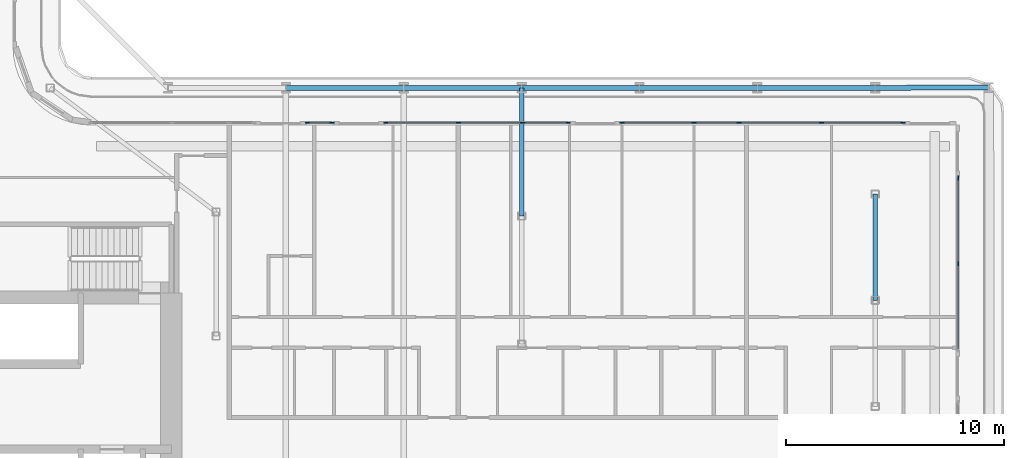
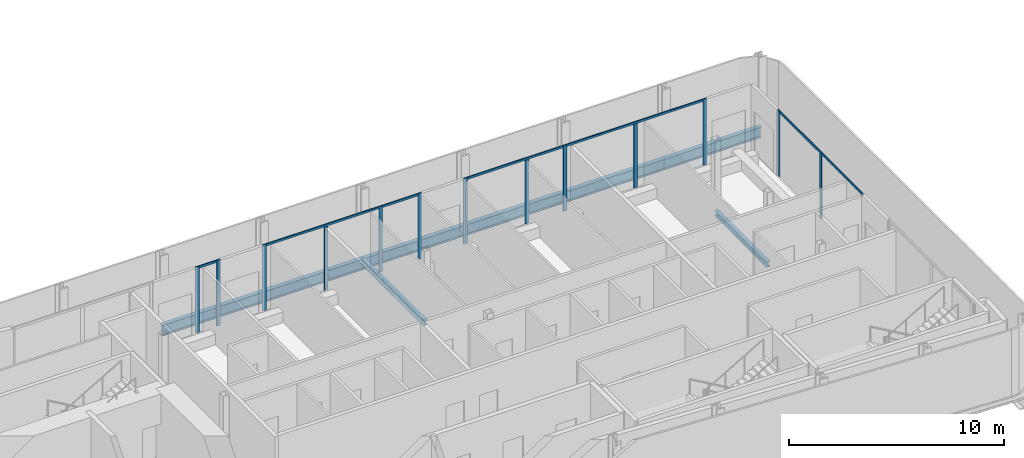
# One storey, part 6 of 24: 19 members, 8 beams, 6 elements without a shape of their own.
"""IFC4 building model written with IfcOpenShell, lengths in metres."""

import ifcopenshell
import ifcopenshell.guid

model = None  # the IFC model being written
_history = None  # IfcOwnerHistory: only IFC2X3 demands one
_inside = {}  # id of a spatial element -> (the spatial element, [elements in it])
_under = {}  # id of a project, library or spatial element -> (it, [spatial elements below it])
_declared = {}  # id of a project -> (the project, [libraries it declares])
_typed = {}  # id of a type object -> (the type object, [elements of that type])
_made_of = {}  # id of a material, layer set ... -> (it, [elements and type objects made of it])


def new_model(schema):
    """Start an empty IFC model of exactly this schema.

    Asked for "IFC4X3", IfcOpenShell would pick the latest addendum, in which some entities
    have other attributes; the version numbers below select the first issue.
    IFC2X3 requires an IfcOwnerHistory on every rooted entity: one is made here for all.
    """
    global model, _history
    if schema == "IFC4X3":
        model = ifcopenshell.file(schema_version=(4, 3, 0, 0))
    else:
        model = ifcopenshell.file(schema=schema)
    _inside.clear()
    _under.clear()
    _declared.clear()
    _typed.clear()
    _made_of.clear()
    _history = None
    if model.schema == "IFC2X3":
        org = make("IfcOrganization", Name="unknown")
        user = make(
            "IfcPersonAndOrganization",
            ThePerson=make("IfcPerson", FamilyName="unknown"),
            TheOrganization=org,
        )
        app = make(
            "IfcApplication",
            ApplicationDeveloper=org,
            Version="unknown",
            ApplicationFullName="unknown",
            ApplicationIdentifier="unknown",
        )
        _history = make(
            "IfcOwnerHistory",
            OwningUser=user,
            OwningApplication=app,
            ChangeAction="ADDED",
            CreationDate=0,
        )
    return model


def make(cls, **values):
    """One entity of the class cls with the attributes given. An attribute that is None is left unset."""
    return model.create_entity(
        cls, **{name: value for name, value in values.items() if value is not None}
    )


def rooted(cls, **values):
    """An entity with a GlobalId (a new one), such as an element, a storey or a relation."""
    return make(cls, GlobalId=ifcopenshell.guid.new(), OwnerHistory=_history, **values)


def si_unit(unit_type, name, prefix=None):
    """IfcSIUnit, for example si_unit("LENGTHUNIT", "METRE", prefix="MILLI")."""
    return make("IfcSIUnit", UnitType=unit_type, Prefix=prefix, Name=name)


def assignment(units):
    """IfcUnitAssignment: the units of a project."""
    return None if units is None else make("IfcUnitAssignment", Units=units)


def point(xyz):
    """IfcCartesianPoint."""
    return None if xyz is None else make("IfcCartesianPoint", Coordinates=xyz)


def direction(xyz):
    """IfcDirection."""
    return None if xyz is None else make("IfcDirection", DirectionRatios=xyz)


def frame(location, z_axis=None, x_axis=None):
    """IfcAxis2Placement3D, a coordinate frame: its origin and axes. An axis left out is left unset."""
    return make(
        "IfcAxis2Placement3D",
        Location=point(location),
        Axis=direction(z_axis),
        RefDirection=direction(x_axis),
    )


def frame_2d(location, x_axis=None):
    """IfcAxis2Placement2D, a coordinate frame in the plane: its origin and x axis."""
    return make(
        "IfcAxis2Placement2D", Location=point(location), RefDirection=direction(x_axis)
    )


def origin():
    """The frame at (0, 0, 0) with its axes left unset."""
    return frame((0.0, 0.0, 0.0))


def origin_2d():
    """The frame at (0, 0) in the plane with its x axis left unset."""
    return frame_2d((0.0, 0.0))


def place(relative_to, where):
    """IfcLocalPlacement: puts the frame where relative to a parent placement (None: the world)."""
    return make(
        "IfcLocalPlacement", PlacementRelTo=relative_to, RelativePlacement=where
    )


def context(
    kind, dimensions, precision=None, world=None, true_north=None, identifier=None
):
    """IfcGeometricRepresentationContext, for example the 3D "Model" context."""
    return make(
        "IfcGeometricRepresentationContext",
        ContextIdentifier=identifier,
        ContextType=kind,
        CoordinateSpaceDimension=dimensions,
        Precision=precision,
        WorldCoordinateSystem=world,
        TrueNorth=true_north,
    )


def subcontext(parent, identifier, kind, view, scale=None):
    """IfcGeometricRepresentationSubContext, for example "Body" below "Model"."""
    return make(
        "IfcGeometricRepresentationSubContext",
        ContextIdentifier=identifier,
        ContextType=kind,
        ParentContext=parent,
        TargetScale=scale,
        TargetView=view,
    )


def project(units=None, contexts=None):
    """IfcProject with its units and contexts."""
    return rooted(
        "IfcProject",
        Name="project",
        RepresentationContexts=contexts,
        UnitsInContext=assignment(units),
    )


def spatial(cls, under=None, at=None, **own):
    """A site, building, storey or space (cls), placed at a placement, below another one or the project."""
    s = rooted(cls, ObjectPlacement=at, **own)
    if under is not None:
        _under.setdefault(under.id(), (under, []))[1].append(s)
    return s


def profile(cls, at=None, kind="AREA", **sizes):
    """A parametric profile (cls). Its sizes go by their IFC names, for example OverallWidth=200.0."""
    return make(cls, ProfileType=kind, Position=at, **sizes)


def rectangle(**sizes):
    """IfcRectangleProfileDef."""
    return profile("IfcRectangleProfileDef", **sizes)


def i_section(**sizes):
    """IfcIShapeProfileDef."""
    return profile("IfcIShapeProfileDef", **sizes)


def extrude(swept, where, along, depth):
    """IfcExtrudedAreaSolid: the profile swept, set in the frame where, extruded along a direction by depth."""
    return make(
        "IfcExtrudedAreaSolid",
        SweptArea=swept,
        Position=where,
        ExtrudedDirection=direction(along),
        Depth=depth,
    )


def shape(context_of_items, identifier, shape_type, items):
    """IfcShapeRepresentation: the items that make up one representation, for example the "Body"."""
    return make(
        "IfcShapeRepresentation",
        ContextOfItems=context_of_items,
        RepresentationIdentifier=identifier,
        RepresentationType=shape_type,
        Items=items,
    )


def material(Name=None, Category=None):
    """IfcMaterial."""
    return make("IfcMaterial", Name=Name, Category=Category)


def layer(
    of_material, thickness, ventilated=None, Name=None, Category=None, Priority=None
):
    """IfcMaterialLayer: one layer of a wall or slab, of a material (None: an air gap)."""
    return make(
        "IfcMaterialLayer",
        Material=of_material,
        LayerThickness=thickness,
        IsVentilated=ventilated,
        Name=Name,
        Category=Category,
        Priority=Priority,
    )


def layer_set(layers, Name=None):
    """IfcMaterialLayerSet."""
    return make("IfcMaterialLayerSet", MaterialLayers=layers, LayerSetName=Name)


def material_profile(
    of_material, cross_section, Name=None, Category=None, Priority=None
):
    """IfcMaterialProfile: a cross section and its material."""
    return make(
        "IfcMaterialProfile",
        Name=Name,
        Material=of_material,
        Profile=cross_section,
        Priority=Priority,
        Category=Category,
    )


def profile_set(profiles, Name=None, composite=None):
    """IfcMaterialProfileSet."""
    return make(
        "IfcMaterialProfileSet",
        Name=Name,
        MaterialProfiles=profiles,
        CompositeProfile=composite,
    )


def made_of(thing, what):
    """Note that an element or type object is made of a material, layer set ...; save() writes the relation."""
    if what is not None:
        _made_of.setdefault(what.id(), (what, []))[1].append(thing)
    return thing


def type_object(cls, material=None, **own):
    """A type object (cls), such as IfcWallType, which elements share."""
    return made_of(rooted(cls, **own), material)


def element(
    cls,
    number,
    at=None,
    inside=None,
    cuts=None,
    type_object=None,
    material=None,
    context=None,
    identifier="Body",
    shape_type=None,
    held_by="IfcProductDefinitionShape",
    body=None,
    shapes=None,
    **own,
):
    """One element of the class cls, such as IfcWall. Its Tag is "e" and its number.

    at: its placement. inside: the storey or other place that contains it. cuts: it is an
    opening in that element (IfcRelVoidsElement). A single representation is given by context,
    identifier, shape_type and body (its items); several are given by shapes. held_by: the class
    of the entity that holds the representations. save() writes the other relations.
    """
    e = rooted(cls, Tag="e%d" % number, ObjectPlacement=at, **own)
    if body is not None:
        shapes = [shape(context, identifier, shape_type, body)]
    if shapes is not None:
        e.Representation = make(held_by, Representations=shapes)
    if inside is not None:
        _inside.setdefault(inside.id(), (inside, []))[1].append(e)
    if cuts is not None:
        rooted(
            "IfcRelVoidsElement", RelatingBuildingElement=cuts, RelatedOpeningElement=e
        )
    if type_object is not None:
        _typed.setdefault(type_object.id(), (type_object, []))[1].append(e)
    return made_of(e, material)


def aggregate(whole, parts):
    """IfcRelAggregates: a whole, such as a stair, and the parts it consists of."""
    return rooted("IfcRelAggregates", RelatingObject=whole, RelatedObjects=parts)


def save(model, path):
    """Write the relations noted so far, then the file.

    IfcRelAggregates (storeys below a building ...), IfcRelContainedInSpatialStructure (elements
    in a storey), IfcRelDefinesByType, IfcRelAssociatesMaterial and IfcRelDeclares: one each for
    every whole, place, type object, material and project.
    """
    for whole, parts in _under.values():
        aggregate(whole, parts)
    for where, things in _inside.values():
        rooted(
            "IfcRelContainedInSpatialStructure",
            RelatedElements=things,
            RelatingStructure=where,
        )
    for kind, things in _typed.values():
        rooted("IfcRelDefinesByType", RelatedObjects=things, RelatingType=kind)
    for what, things in _made_of.values():
        rooted("IfcRelAssociatesMaterial", RelatedObjects=things, RelatingMaterial=what)
    for by, libraries in _declared.values():
        rooted("IfcRelDeclares", RelatingContext=by, RelatedDefinitions=libraries)
    model.write(path)


model = new_model("IFC4")

# Units and contexts
model_context = context("Model", 3, precision=1e-05, world=origin(), true_north=direction((0.0, 1.0)))
body_context = subcontext(model_context, "Body", "Model", "MODEL_VIEW")
ifc_project = project(units=[si_unit("LENGTHUNIT", "METRE"), si_unit("AREAUNIT", "SQUARE_METRE"), si_unit("VOLUMEUNIT", "CUBIC_METRE"), si_unit("PLANEANGLEUNIT", "RADIAN"), si_unit("MASSUNIT", "GRAM", prefix="KILO")], contexts=[model_context])

# Site, building, storey
site_placement = place(None, origin())
site = spatial("IfcSite", under=ifc_project, at=site_placement, CompositionType="ELEMENT")
building_placement = place(site_placement, origin())
building = spatial("IfcBuilding", under=site, at=building_placement, Name="Kheshtan School and Residences Tower", CompositionType="ELEMENT")
storey_placement = place(building_placement, frame((0.0, 0.0, 38.300048828125)))
storey = spatial("IfcBuildingStorey", under=building, at=storey_placement, Name="L08", CompositionType="ELEMENT", Elevation=38.300048828125)

# Beams
ifc_material_1 = material(Name="Steel ASTM A992 Grade 50", Category="steel")
ifc_material_profile_1 = material_profile(ifc_material_1, i_section(OverallWidth=0.202880859375, OverallDepth=0.302978515625, WebThickness=0.007568359375, FlangeThickness=0.01318359375, FilletRadius=0.009033203125, at=origin_2d()), Name="W310x60")
ifc_profile_set_1 = profile_set([ifc_material_profile_1], Name="Steel ASTM A992 Grade 50")
beam_type_1 = type_object("IfcBeamType", Name="Beam FB1 W310x60 ASTM A992 Grade 50", PredefinedType="BEAM", material=ifc_profile_set_1)
beam_1_placement = place(storey_placement, frame((69.199951171875, 45.60009765625, -0.301513671875), z_axis=(0.0, -1.0, 0.0), x_axis=(1.0, 0.0, 0.0)))
element("IfcBeam", 1, at=beam_1_placement, inside=storey, type_object=beam_type_1, Name="Floor beam C064", PredefinedType="BEAM", context=body_context, shape_type="SweptSolid", body=[
    extrude(i_section(OverallWidth=0.202880859375, OverallDepth=0.302978515625, WebThickness=0.007568359375, FlangeThickness=0.01318359375, FilletRadius=0.009033203125, at=origin_2d()), origin(), (0.0, 0.0, 1.0), 5.8681640625),
])
beam_2_placement = place(storey_placement, frame((85.39990234375, 40.735107421875, -0.301513671875), z_axis=(0.0, -1.0, 0.0), x_axis=(1.0, 0.0, 0.0)))
element("IfcBeam", 2, at=beam_2_placement, inside=storey, type_object=beam_type_1, Name="Floor beam IC", PredefinedType="BEAM", context=body_context, shape_type="SweptSolid", body=[
    extrude(i_section(OverallWidth=0.202880859375, OverallDepth=0.302978515625, WebThickness=0.007568359375, FlangeThickness=0.01318359375, FilletRadius=0.009033203125, at=origin_2d()), origin(), (0.0, 0.0, 1.0), 4.864990234375),
])
ifc_material_profile_2 = material_profile(ifc_material_1, i_section(OverallWidth=0.22998046875, OverallDepth=0.616943359375, WebThickness=0.01318359375, FlangeThickness=0.022216796875, FilletRadius=0.0185546875, at=origin_2d()), Name="W610x140")
ifc_profile_set_2 = profile_set([ifc_material_profile_2], Name="Steel ASTM A992 Grade 50")
beam_type_2 = type_object("IfcBeamType", Name="Beam SP1 W610x140 ASTM A992 Grade 50", PredefinedType="BEAM", material=ifc_profile_set_2)
beam_3_placement = place(storey_placement, frame((58.39990234375, 45.60009765625, -0.45849609375), z_axis=(1.0, 0.0, 0.0), x_axis=(0.0, 1.0, 0.0)))
element("IfcBeam", 3, at=beam_3_placement, inside=storey, type_object=beam_type_2, Name="Spandrel beam C062-C063", PredefinedType="BEAM", context=body_context, shape_type="SweptSolid", body=[
    extrude(i_section(OverallWidth=0.22998046875, OverallDepth=0.616943359375, WebThickness=0.01318359375, FlangeThickness=0.022216796875, FilletRadius=0.0185546875, at=origin_2d()), origin(), (0.0, 0.0, 1.0), 5.400146484375),
])
beam_4_placement = place(storey_placement, frame((63.800048828125, 45.60009765625, -0.45849609375), z_axis=(1.0, 0.0, 0.0), x_axis=(0.0, 1.0, 0.0)))
element("IfcBeam", 4, at=beam_4_placement, inside=storey, type_object=beam_type_2, Name="Spandrel beam C063-C064", PredefinedType="BEAM", context=body_context, shape_type="SweptSolid", body=[
    extrude(i_section(OverallWidth=0.22998046875, OverallDepth=0.616943359375, WebThickness=0.01318359375, FlangeThickness=0.022216796875, FilletRadius=0.0185546875, at=origin_2d()), origin(), (0.0, 0.0, 1.0), 5.39990234375),
])
beam_5_placement = place(storey_placement, frame((69.199951171875, 45.60009765625, -0.45849609375), z_axis=(1.0, 0.0, 0.0), x_axis=(0.0, 1.0, 0.0)))
element("IfcBeam", 5, at=beam_5_placement, inside=storey, type_object=beam_type_2, Name="Spandrel beam C064-C065", PredefinedType="BEAM", context=body_context, shape_type="SweptSolid", body=[
    extrude(i_section(OverallWidth=0.22998046875, OverallDepth=0.616943359375, WebThickness=0.01318359375, FlangeThickness=0.022216796875, FilletRadius=0.0185546875, at=origin_2d()), origin(), (0.0, 0.0, 1.0), 5.400146484375),
])
for number, where, z_axis, x_axis, name in (
    (6, (74.60009765625, 45.60009765625, -0.45849609375), (1.0, 0.0, 0.0), (0.0, 1.0, 0.0), "Spandrel beam C065-C066"),
    (7, (80.0, 45.60009765625, -0.45849609375), (1.0, 0.0, 0.0), (0.0, 1.0, 0.0), "Spandrel beam C066-C067"),
):
    element("IfcBeam", number, at=place(storey_placement, frame(where, z_axis=z_axis, x_axis=x_axis)), inside=storey, type_object=beam_type_2, Name=name, PredefinedType="BEAM", context=body_context, shape_type="SweptSolid", body=[
        extrude(i_section(OverallWidth=0.22998046875, OverallDepth=0.616943359375, WebThickness=0.01318359375, FlangeThickness=0.022216796875, FilletRadius=0.0185546875, at=origin_2d()), origin(), (0.0, 0.0, 1.0), 5.39990234375),
    ])
beam_6_placement = place(storey_placement, frame((85.39990234375, 45.60009765625, -0.45849609375), z_axis=(0.99999185222, 0.00403676771, 0.0), x_axis=(-0.00403676771, 0.99999185222, 0.0)))
element("IfcBeam", 8, at=beam_6_placement, inside=storey, type_object=beam_type_2, Name="Spandrel beam C067-C075", PredefinedType="BEAM", context=body_context, shape_type="SweptSolid", body=[
    extrude(i_section(OverallWidth=0.22998046875, OverallDepth=0.616943359375, WebThickness=0.01318359375, FlangeThickness=0.022216796875, FilletRadius=0.0185546875, at=origin_2d()), origin(), (0.0, 0.0, 1.0), 5.201171875),
])

# Curtain wall, members
ifc_material_2 = material(Name="Clear low-e glass in thermally broken aluminium frame", Category="aluminium")
ifc_layer = layer(ifc_material_2, 0.199951171875)
ifc_layer_set = layer_set([ifc_layer], Name="Curtain wall CW-L")
curtain_wall_type = type_object("IfcCurtainWallType", Name="Curtain wall CW-L", PredefinedType="NOTDEFINED", material=ifc_layer_set)
curtain_wall_1_placement = place(storey_placement, origin())
curtain_wall_1 = element("IfcCurtainWall", 9, at=curtain_wall_1_placement, inside=storey, type_object=curtain_wall_type, Name="Curtain wall CWL12b", PredefinedType="NOTDEFINED")
ifc_material_3 = material(Name="Thermally broken aluminium, dark bronze anodised", Category="aluminium")
ifc_material_profile_3 = material_profile(ifc_material_3, rectangle(XDim=0.06005859375, YDim=0.199951171875, at=origin_2d()), Name="CW-L mullion 60x200")
ifc_profile_set_3 = profile_set([ifc_material_profile_3], Name="Thermally broken aluminium, dark bronze anodised")
member_type_1 = type_object("IfcMemberType", Name="CW-L mullion 60x200", PredefinedType="MULLION", material=ifc_profile_set_3)
member_1_placement = place(storey_placement, frame((59.37744140625, 44.0, 0.0), z_axis=(0.0, 0.0, 1.0), x_axis=(0.0, 1.0, 0.0)))
member_1 = element("IfcMember", 10, at=member_1_placement, type_object=member_type_1, Name="CWL12b mullion 1", PredefinedType="MULLION", context=body_context, shape_type="SweptSolid", body=[
    extrude(rectangle(XDim=0.06005859375, YDim=0.199951171875, at=origin_2d()), origin(), (0.0, 0.0, 1.0), 3.75),
])
member_2_placement = place(storey_placement, frame((60.517578125, 44.0, 0.0), z_axis=(0.0, 0.0, 1.0), x_axis=(0.0, 1.0, 0.0)))
member_2 = element("IfcMember", 11, at=member_2_placement, type_object=member_type_1, Name="CWL12b mullion 2", PredefinedType="MULLION", context=body_context, shape_type="SweptSolid", body=[
    extrude(rectangle(XDim=0.06005859375, YDim=0.199951171875, at=origin_2d()), origin(), (0.0, 0.0, 1.0), 3.75),
])

curtain_wall_2_placement = place(storey_placement, origin())
curtain_wall_2 = element("IfcCurtainWall", 12, at=curtain_wall_2_placement, inside=storey, type_object=curtain_wall_type, Name="Curtain wall CWL12c", PredefinedType="NOTDEFINED")
member_3_placement = place(storey_placement, frame((62.9775390625, 44.0, 0.0), z_axis=(0.0, 0.0, 1.0), x_axis=(0.0, 1.0, 0.0)))
member_3 = element("IfcMember", 13, at=member_3_placement, type_object=member_type_1, Name="CWL12c mullion 1", PredefinedType="MULLION", context=body_context, shape_type="SweptSolid", body=[
    extrude(rectangle(XDim=0.06005859375, YDim=0.199951171875, at=origin_2d()), origin(), (0.0, 0.0, 1.0), 3.75),
])
member_4_placement = place(storey_placement, frame((66.300048828125, 44.0, 0.0), z_axis=(0.0, 0.0, 1.0), x_axis=(0.0, 1.0, 0.0)))
member_4 = element("IfcMember", 14, at=member_4_placement, type_object=member_type_1, Name="CWL12c mullion 2", PredefinedType="MULLION", context=body_context, shape_type="SweptSolid", body=[
    extrude(rectangle(XDim=0.06005859375, YDim=0.199951171875, at=origin_2d()), origin(), (0.0, 0.0, 1.0), 3.6298828125),
])
member_5_placement = place(storey_placement, frame((69.235107421875, 44.0, 0.0), z_axis=(0.0, 0.0, 1.0), x_axis=(0.0, 1.0, 0.0)))
member_5 = element("IfcMember", 15, at=member_5_placement, type_object=member_type_1, Name="CWL12c mullion 3", PredefinedType="MULLION", context=body_context, shape_type="SweptSolid", body=[
    extrude(rectangle(XDim=0.06005859375, YDim=0.199951171875, at=origin_2d()), origin(), (0.0, 0.0, 1.0), 3.75),
])

# Curtain wall, member
curtain_wall_3_placement = place(storey_placement, origin())
curtain_wall_3 = element("IfcCurtainWall", 16, at=curtain_wall_3_placement, inside=storey, type_object=curtain_wall_type, Name="Curtain wall CWL12d", PredefinedType="NOTDEFINED")
member_6_placement = place(storey_placement, frame((71.3349609375, 44.0, 0.0), z_axis=(0.0, 0.0, 1.0), x_axis=(0.0, 1.0, 0.0)))
member_6 = element("IfcMember", 17, at=member_6_placement, type_object=member_type_1, Name="CWL12d mullion 2", PredefinedType="MULLION", context=body_context, shape_type="SweptSolid", body=[
    extrude(rectangle(XDim=0.06005859375, YDim=0.199951171875, at=origin_2d()), origin(), (0.0, 0.0, 1.0), 3.75),
])

# Curtain wall, members
curtain_wall_4_placement = place(storey_placement, origin())
curtain_wall_4 = element("IfcCurtainWall", 18, at=curtain_wall_4_placement, inside=storey, type_object=curtain_wall_type, Name="Curtain wall CWL12e", PredefinedType="NOTDEFINED")
member_7_placement = place(storey_placement, frame((73.794921875, 44.0, 0.0), z_axis=(0.0, 0.0, 1.0), x_axis=(0.0, 1.0, 0.0)))
member_7 = element("IfcMember", 19, at=member_7_placement, type_object=member_type_1, Name="CWL12e mullion 1", PredefinedType="MULLION", context=body_context, shape_type="SweptSolid", body=[
    extrude(rectangle(XDim=0.06005859375, YDim=0.199951171875, at=origin_2d()), origin(), (0.0, 0.0, 1.0), 3.75),
])
member_8_placement = place(storey_placement, frame((77.10009765625, 44.0, 0.0), z_axis=(0.0, 0.0, 1.0), x_axis=(0.0, 1.0, 0.0)))
member_8 = element("IfcMember", 20, at=member_8_placement, type_object=member_type_1, Name="CWL12e mullion 2", PredefinedType="MULLION", context=body_context, shape_type="SweptSolid", body=[
    extrude(rectangle(XDim=0.06005859375, YDim=0.199951171875, at=origin_2d()), origin(), (0.0, 0.0, 1.0), 3.6298828125),
])
member_9_placement = place(storey_placement, frame((79.152587890625, 44.0, 0.0), z_axis=(0.0, 0.0, 1.0), x_axis=(0.0, 1.0, 0.0)))
member_9 = element("IfcMember", 21, at=member_9_placement, type_object=member_type_1, Name="CWL12e mullion 3", PredefinedType="MULLION", context=body_context, shape_type="SweptSolid", body=[
    extrude(rectangle(XDim=0.06005859375, YDim=0.199951171875, at=origin_2d()), origin(), (0.0, 0.0, 1.0), 3.75),
])

curtain_wall_5_placement = place(storey_placement, origin())
curtain_wall_5 = element("IfcCurtainWall", 22, at=curtain_wall_5_placement, inside=storey, type_object=curtain_wall_type, Name="Curtain wall CWL12a", PredefinedType="NOTDEFINED")
member_10_placement = place(storey_placement, frame((82.941162109375, 44.0, 0.0), z_axis=(0.0, 0.0, 1.0), x_axis=(0.0, 1.0, 0.0)))
member_10 = element("IfcMember", 23, at=member_10_placement, type_object=member_type_1, Name="CWL12a mullion 2", PredefinedType="MULLION", context=body_context, shape_type="SweptSolid", body=[
    extrude(rectangle(XDim=0.06005859375, YDim=0.199951171875, at=origin_2d()), origin(), (0.0, 0.0, 1.0), 3.6298828125),
])
member_11_placement = place(storey_placement, frame((86.669921875, 44.0, 0.0), z_axis=(0.0, 0.0, 1.0), x_axis=(0.0, 1.0, 0.0)))
member_11 = element("IfcMember", 24, at=member_11_placement, type_object=member_type_1, Name="CWL12a mullion 3", PredefinedType="MULLION", context=body_context, shape_type="SweptSolid", body=[
    extrude(rectangle(XDim=0.06005859375, YDim=0.199951171875, at=origin_2d()), origin(), (0.0, 0.0, 1.0), 3.75),
])

curtain_wall_6_placement = place(storey_placement, origin())
curtain_wall_6 = element("IfcCurtainWall", 25, at=curtain_wall_6_placement, inside=storey, type_object=curtain_wall_type, Name="Curtain wall CWL13", PredefinedType="NOTDEFINED")
member_12_placement = place(storey_placement, frame((89.199951171875, 41.469970703125, 0.0), z_axis=(0.0, 0.0, 1.0), x_axis=(1.0, 0.0, 0.0)))
member_12 = element("IfcMember", 26, at=member_12_placement, type_object=member_type_1, Name="CWL13 mullion 1", PredefinedType="MULLION", context=body_context, shape_type="SweptSolid", body=[
    extrude(rectangle(XDim=0.06005859375, YDim=0.199951171875, at=origin_2d()), origin(), (0.0, 0.0, 1.0), 3.75),
])
member_13_placement = place(storey_placement, frame((89.199951171875, 37.545654296875, 0.0), z_axis=(0.0, 0.0, 1.0), x_axis=(1.0, 0.0, 0.0)))
member_13 = element("IfcMember", 27, at=member_13_placement, type_object=member_type_1, Name="CWL13 mullion 2", PredefinedType="MULLION", context=body_context, shape_type="SweptSolid", body=[
    extrude(rectangle(XDim=0.06005859375, YDim=0.199951171875, at=origin_2d()), origin(), (0.0, 0.0, 1.0), 3.6298828125),
])

# Member
ifc_material_profile_4 = material_profile(ifc_material_3, rectangle(XDim=0.06005859375, YDim=0.1201171875, at=origin_2d()), Name="CW-L transom 60x120")
ifc_profile_set_4 = profile_set([ifc_material_profile_4], Name="Thermally broken aluminium, dark bronze anodised")
member_type_2 = type_object("IfcMemberType", Name="CW-L transom 60x120", PredefinedType="USERDEFINED", material=ifc_profile_set_4)
member_14_placement = place(storey_placement, frame((59.407470703125, 44.0, 3.68994140625), z_axis=(1.0, 0.0, 0.0), x_axis=(0.0, 1.0, 0.0)))
member_14 = element("IfcMember", 28, at=member_14_placement, type_object=member_type_2, Name="CWL12b transom 1", ObjectType="TRANSOM", PredefinedType="USERDEFINED", context=body_context, shape_type="SweptSolid", body=[
    extrude(rectangle(XDim=0.06005859375, YDim=0.1201171875, at=origin_2d()), origin(), (0.0, 0.0, 1.0), 1.080078125),
])

aggregate(curtain_wall_1, [member_1, member_2, member_14])

member_15_placement = place(storey_placement, frame((63.007568359375, 44.0, 3.68994140625), z_axis=(1.0, 0.0, 0.0), x_axis=(0.0, 1.0, 0.0)))
member_15 = element("IfcMember", 29, at=member_15_placement, type_object=member_type_2, Name="CWL12c transom 1", ObjectType="TRANSOM", PredefinedType="USERDEFINED", context=body_context, shape_type="SweptSolid", body=[
    extrude(rectangle(XDim=0.06005859375, YDim=0.1201171875, at=origin_2d()), origin(), (0.0, 0.0, 1.0), 6.197509765625),
])

aggregate(curtain_wall_2, [member_3, member_4, member_5, member_15])

member_16_placement = place(storey_placement, frame((69.264892578125, 44.0, 3.68994140625), z_axis=(1.0, 0.0, 0.0), x_axis=(0.0, 1.0, 0.0)))
member_16 = element("IfcMember", 30, at=member_16_placement, type_object=member_type_2, Name="CWL12d transom 1", ObjectType="TRANSOM", PredefinedType="USERDEFINED", context=body_context, shape_type="SweptSolid", body=[
    extrude(rectangle(XDim=0.06005859375, YDim=0.1201171875, at=origin_2d()), origin(), (0.0, 0.0, 1.0), 2.0400390625),
])

aggregate(curtain_wall_3, [member_6, member_16])

member_17_placement = place(storey_placement, frame((73.824951171875, 44.0, 3.68994140625), z_axis=(1.0, 0.0, 0.0), x_axis=(0.0, 1.0, 0.0)))
member_17 = element("IfcMember", 31, at=member_17_placement, type_object=member_type_2, Name="CWL12e transom 1", ObjectType="TRANSOM", PredefinedType="USERDEFINED", context=body_context, shape_type="SweptSolid", body=[
    extrude(rectangle(XDim=0.06005859375, YDim=0.1201171875, at=origin_2d()), origin(), (0.0, 0.0, 1.0), 5.297607421875),
])

aggregate(curtain_wall_4, [member_7, member_8, member_9, member_17])

member_18_placement = place(storey_placement, frame((79.1826171875, 44.0, 3.68994140625), z_axis=(1.0, 0.0, 0.0), x_axis=(0.0, 1.0, 0.0)))
member_18 = element("IfcMember", 32, at=member_18_placement, type_object=member_type_2, Name="CWL12a transom 1", ObjectType="TRANSOM", PredefinedType="USERDEFINED", context=body_context, shape_type="SweptSolid", body=[
    extrude(rectangle(XDim=0.06005859375, YDim=0.1201171875, at=origin_2d()), origin(), (0.0, 0.0, 1.0), 7.457275390625),
])

aggregate(curtain_wall_5, [member_10, member_11, member_18])

member_19_placement = place(storey_placement, frame((89.199951171875, 41.43994140625, 3.68994140625), z_axis=(0.0, -1.0, 0.0), x_axis=(1.0, 0.0, 0.0)))
member_19 = element("IfcMember", 33, at=member_19_placement, type_object=member_type_2, Name="CWL13 transom 1", ObjectType="TRANSOM", PredefinedType="USERDEFINED", context=body_context, shape_type="SweptSolid", body=[
    extrude(rectangle(XDim=0.06005859375, YDim=0.1201171875, at=origin_2d()), origin(), (0.0, 0.0, 1.0), 7.788330078125),
])

aggregate(curtain_wall_6, [member_12, member_13, member_19])

save(model, "model.ifc")
